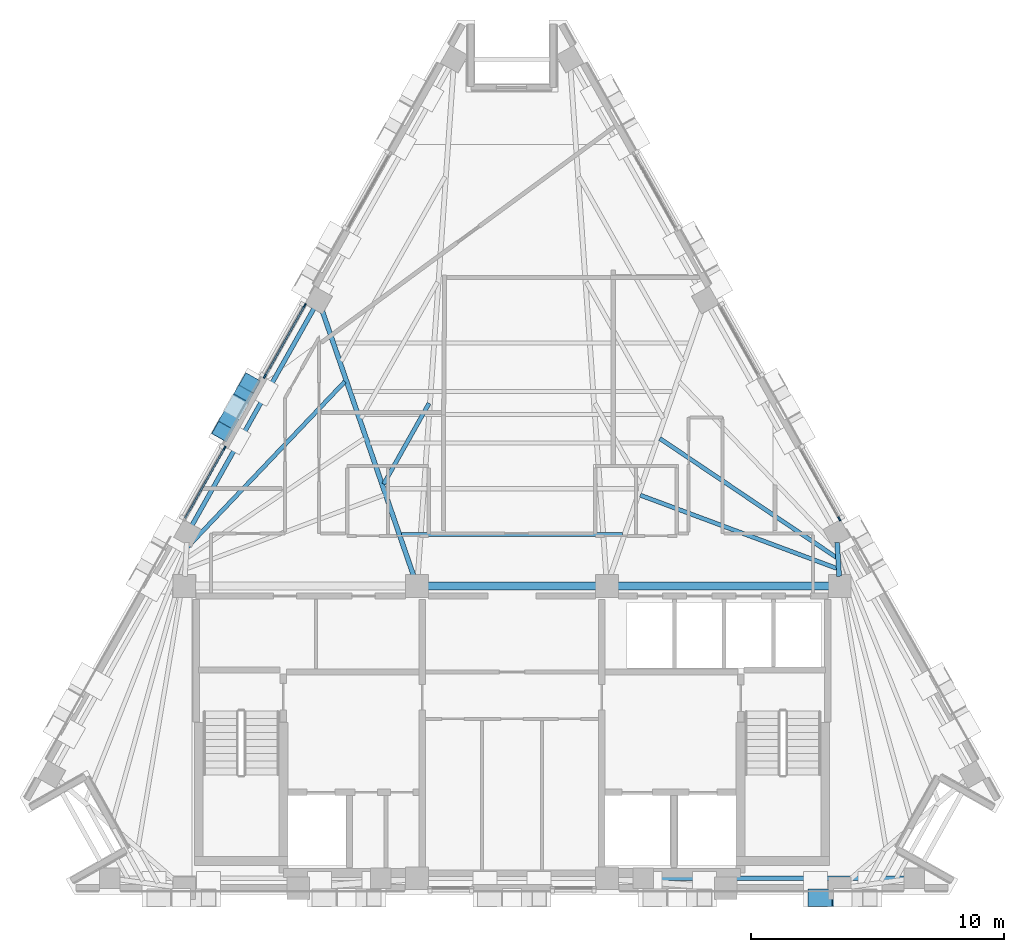
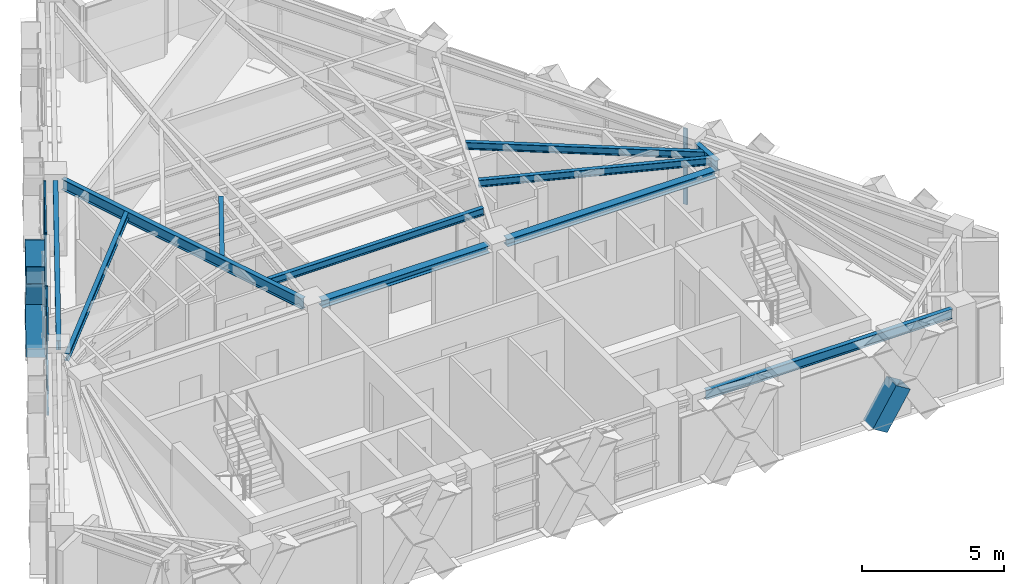
# One storey, part 3 of 11: 14 members, 11 beams, 3 elements without a shape of their own.
"""IFC4 building model written with IfcOpenShell, lengths in metres."""

from ifc_helpers import new_model, si_unit, direction, frame, origin, origin_2d, place, context, subcontext, project, spatial, rectangle, hollow_rectangle, i_section, extrude, material, material_profile, profile_set, type_object, element, aggregate, save


model = new_model("IFC4")

# Units and contexts
model_context = context("Model", 3, precision=1e-05, world=origin(), true_north=direction((0.0, 1.0)))
body_context = subcontext(model_context, "Body", "Model", "MODEL_VIEW")
ifc_project = project(units=[si_unit("LENGTHUNIT", "METRE"), si_unit("AREAUNIT", "SQUARE_METRE"), si_unit("VOLUMEUNIT", "CUBIC_METRE"), si_unit("PLANEANGLEUNIT", "RADIAN"), si_unit("MASSUNIT", "GRAM", prefix="KILO")], contexts=[model_context])

# Site, building, storey
site_placement = place(None, origin())
site = spatial("IfcSite", under=ifc_project, at=site_placement, CompositionType="ELEMENT")
building_placement = place(site_placement, origin())
building = spatial("IfcBuilding", under=site, at=building_placement, Name="Quenlor Broadcast Tower", CompositionType="ELEMENT")
storey_placement = place(building_placement, frame((0.0, 0.0, 242.89990234375)))
storey = spatial("IfcBuildingStorey", under=building, at=storey_placement, Name="L67", CompositionType="ELEMENT", Elevation=242.89990234375)

# Curtain wall, member
ifc_material_1 = material(Name="Architectural Terracotta and Low-E Glazing", Category="masonry")
curtain_wall_type = type_object("IfcCurtainWallType", Name="Unitised Terracotta Curtain Wall System Z5", PredefinedType="NOTDEFINED", material=ifc_material_1)
curtain_wall_1_placement = place(storey_placement, origin())
curtain_wall_1 = element("IfcCurtainWall", 1, at=curtain_wall_1_placement, inside=storey, type_object=curtain_wall_type, Name="L67 Curtain Wall CW5 (L67-NE-G2)", PredefinedType="NOTDEFINED")
ifc_material_2 = material(Name="Aluminium 6063-T6", Category="aluminium")
ifc_material_profile_1 = material_profile(ifc_material_2, rectangle(XDim=0.06494140625, YDim=0.169921875, at=origin_2d()))
ifc_profile_set_1 = profile_set([ifc_material_profile_1], Name="Aluminium 6063-T6 MULL65x170")
member_type_1 = type_object("IfcMemberType", Name="CW5 Aluminium Mullion MULL_CW5", PredefinedType="MULLION", material=ifc_profile_set_1)
member_1_placement = place(storey_placement, frame((12.930419921875, -2.1484375, 0.0), z_axis=(0.0, 0.0, 1.0), x_axis=(0.871574721405, 0.490262689797, 0.0)))
member_1 = element("IfcMember", 2, at=member_1_placement, type_object=member_type_1, Name="CW5 mullion 2", PredefinedType="MULLION", context=body_context, shape_type="SweptSolid", body=[
    extrude(rectangle(XDim=0.06494140625, YDim=0.169921875, at=origin_2d()), origin(), (0.0, 0.0, 1.0), 3.25),
])
aggregate(curtain_wall_1, [member_1])

curtain_wall_2_placement = place(storey_placement, origin())
curtain_wall_2 = element("IfcCurtainWall", 3, at=curtain_wall_2_placement, inside=storey, type_object=curtain_wall_type, Name="L67 Curtain Wall CW5 (L67-NW-G1)", PredefinedType="NOTDEFINED")
member_2_placement = place(storey_placement, frame((-11.357177734375, 0.6484375, 0.0), z_axis=(0.0, 0.0, 1.0), x_axis=(-0.871574721405, 0.490262689797, 0.0)))
member_2 = element("IfcMember", 4, at=member_2_placement, type_object=member_type_1, Name="CW5 mullion 2", PredefinedType="MULLION", context=body_context, shape_type="SweptSolid", body=[
    extrude(rectangle(XDim=0.06494140625, YDim=0.169921875, at=origin_2d()), origin(), (0.0, 0.0, 1.0), 3.25),
])

# Curtain wall, members
curtain_wall_3_placement = place(storey_placement, origin())
curtain_wall_3 = element("IfcCurtainWall", 5, at=curtain_wall_3_placement, inside=storey, type_object=curtain_wall_type, Name="L67 Curtain Wall CW5 (L67-NW-G2)", PredefinedType="NOTDEFINED")
member_3_placement = place(storey_placement, frame((-9.763427734375, 3.48193359375, 0.0), z_axis=(0.0, 0.0, 1.0), x_axis=(-0.871574721405, 0.490262689797, 0.0)))
member_3 = element("IfcMember", 6, at=member_3_placement, type_object=member_type_1, Name="CW5 mullion 1", PredefinedType="MULLION", context=body_context, shape_type="SweptSolid", body=[
    extrude(rectangle(XDim=0.06494140625, YDim=0.169921875, at=origin_2d()), origin(), (0.0, 0.0, 1.0), 3.25),
])
member_4_placement = place(storey_placement, frame((-8.190185546875, 6.27880859375, 0.0), z_axis=(0.0, 0.0, 1.0), x_axis=(-0.871574721405, 0.490262689797, 0.0)))
member_4 = element("IfcMember", 7, at=member_4_placement, type_object=member_type_1, Name="CW5 mullion 2", PredefinedType="MULLION", context=body_context, shape_type="SweptSolid", body=[
    extrude(rectangle(XDim=0.06494140625, YDim=0.169921875, at=origin_2d()), origin(), (0.0, 0.0, 1.0), 3.25),
])

# Member
ifc_material_3 = material(Name="Aluminium 6063-T6", Category="aluminium")
ifc_material_profile_2 = material_profile(ifc_material_3, rectangle(XDim=0.06494140625, YDim=0.139892578125, at=origin_2d()))
ifc_profile_set_2 = profile_set([ifc_material_profile_2], Name="Aluminium 6063-T6 TRAN65x140")
member_type_2 = type_object("IfcMemberType", Name="CW5 Aluminium Transom TRAN_CW5", PredefinedType="USERDEFINED", material=ifc_profile_set_2)
member_5_placement = place(storey_placement, frame((-12.91455078125, -2.1201171875, 0.03271484375), z_axis=(0.490290733046, 0.871558946422, 0.0), x_axis=(-0.871558946422, 0.490290733046, 0.0)))
member_5 = element("IfcMember", 8, at=member_5_placement, type_object=member_type_2, Name="CW5 transom 1.1", ObjectType="TRANSOM", PredefinedType="USERDEFINED", context=body_context, shape_type="SweptSolid", body=[
    extrude(rectangle(XDim=0.06494140625, YDim=0.139892578125, at=origin_2d()), origin(), (0.0, 0.0, 1.0), 3.14404296875),
])

member_6_placement = place(storey_placement, frame((-12.91455078125, -2.1201171875, 0.9501953125), z_axis=(0.490290733046, 0.871558946422, 0.0), x_axis=(-0.871558946422, 0.490290733046, 0.0)))
member_6 = element("IfcMember", 9, at=member_6_placement, type_object=member_type_2, Name="CW5 transom 1.2", ObjectType="TRANSOM", PredefinedType="USERDEFINED", context=body_context, shape_type="SweptSolid", body=[
    extrude(rectangle(XDim=0.06494140625, YDim=0.139892578125, at=origin_2d()), origin(), (0.0, 0.0, 1.0), 3.14404296875),
])

member_7_placement = place(storey_placement, frame((-12.91455078125, -2.1201171875, 3.217529296875), z_axis=(0.490290733046, 0.871558946422, 0.0), x_axis=(-0.871558946422, 0.490290733046, 0.0)))
member_7 = element("IfcMember", 10, at=member_7_placement, type_object=member_type_2, Name="CW5 transom 1.3", ObjectType="TRANSOM", PredefinedType="USERDEFINED", context=body_context, shape_type="SweptSolid", body=[
    extrude(rectangle(XDim=0.06494140625, YDim=0.139892578125, at=origin_2d()), origin(), (0.0, 0.0, 1.0), 3.14404296875),
])

aggregate(curtain_wall_2, [member_2, member_5, member_6, member_7])

member_8_placement = place(storey_placement, frame((-9.747314453125, 3.51025390625, 0.03271484375), z_axis=(0.490231744535, 0.87159212746, 0.0), x_axis=(-0.87159212746, 0.490231744535, 0.0)))
member_8 = element("IfcMember", 11, at=member_8_placement, type_object=member_type_2, Name="CW5 transom 1.1", ObjectType="TRANSOM", PredefinedType="USERDEFINED", context=body_context, shape_type="SweptSolid", body=[
    extrude(rectangle(XDim=0.06494140625, YDim=0.139892578125, at=origin_2d()), origin(), (0.0, 0.0, 1.0), 3.14404296875),
])

member_9_placement = place(storey_placement, frame((-9.747314453125, 3.51025390625, 0.9501953125), z_axis=(0.490231744535, 0.87159212746, 0.0), x_axis=(-0.87159212746, 0.490231744535, 0.0)))
member_9 = element("IfcMember", 12, at=member_9_placement, type_object=member_type_2, Name="CW5 transom 1.2", ObjectType="TRANSOM", PredefinedType="USERDEFINED", context=body_context, shape_type="SweptSolid", body=[
    extrude(rectangle(XDim=0.06494140625, YDim=0.139892578125, at=origin_2d()), origin(), (0.0, 0.0, 1.0), 3.14404296875),
])

member_10_placement = place(storey_placement, frame((-9.747314453125, 3.51025390625, 3.217529296875), z_axis=(0.490231744535, 0.87159212746, 0.0), x_axis=(-0.87159212746, 0.490231744535, 0.0)))
member_10 = element("IfcMember", 13, at=member_10_placement, type_object=member_type_2, Name="CW5 transom 1.3", ObjectType="TRANSOM", PredefinedType="USERDEFINED", context=body_context, shape_type="SweptSolid", body=[
    extrude(rectangle(XDim=0.06494140625, YDim=0.139892578125, at=origin_2d()), origin(), (0.0, 0.0, 1.0), 3.14404296875),
])

aggregate(curtain_wall_3, [member_3, member_4, member_8, member_9, member_10])

# Beams
ifc_material_4 = material(Name="Steel S355", Category="steel")
ifc_material_profile_3 = material_profile(ifc_material_4, i_section(OverallWidth=0.304931640625, OverallDepth=0.30810546875, WebThickness=0.010009765625, FlangeThickness=0.015380859375, FilletRadius=0.0166015625, at=origin_2d()))
ifc_profile_set_3 = profile_set([ifc_material_profile_3], Name="Steel S355 310UC96.8")
beam_type_1 = type_object("IfcBeamType", Name="Core Header Beam Steel S355 310UC96.8", PredefinedType="BEAM", material=ifc_profile_set_3)
beam_1_placement = place(storey_placement, frame((-3.389892578125, -4.800048828125, 3.09619140625), z_axis=(1.0, 0.0, 0.0), x_axis=(0.0, 1.0, 0.0)))
element("IfcBeam", 14, at=beam_1_placement, inside=storey, type_object=beam_type_1, Name="L67 Core Header Beam 2", PredefinedType="BEAM", context=body_context, shape_type="SweptSolid", body=[
    extrude(i_section(OverallWidth=0.304931640625, OverallDepth=0.30810546875, WebThickness=0.010009765625, FlangeThickness=0.015380859375, FilletRadius=0.0166015625, at=origin_2d()), origin(), (0.0, 0.0, 1.0), 6.77978515625),
])
ifc_material_5 = material(Name="Steel S355", Category="steel")
ifc_material_profile_4 = material_profile(ifc_material_5, i_section(OverallWidth=0.306884765625, OverallDepth=0.314697265625, WebThickness=0.011962890625, FlangeThickness=0.018798828125, FilletRadius=0.0166015625, at=origin_2d()))
ifc_profile_set_4 = profile_set([ifc_material_profile_4], Name="Steel S355 310UC118")
beam_type_2 = type_object("IfcBeamType", Name="Core Tie Beam Steel S355 310UC118", PredefinedType="BEAM", material=ifc_profile_set_4)
beam_2_placement = place(storey_placement, frame((4.110107421875, -4.800048828125, 3.0927734375), z_axis=(1.0, 0.0, 0.0), x_axis=(0.0, 1.0, 0.0)))
element("IfcBeam", 15, at=beam_2_placement, inside=storey, type_object=beam_type_2, Name="L67 Core Tie Beam 3", PredefinedType="BEAM", context=body_context, shape_type="SweptSolid", body=[
    extrude(i_section(OverallWidth=0.306884765625, OverallDepth=0.314697265625, WebThickness=0.011962890625, FlangeThickness=0.018798828125, FilletRadius=0.0166015625, at=origin_2d()), origin(), (0.0, 0.0, 1.0), 8.47998046875),
])

# Members
ifc_material_6 = material(Name="Steel S355", Category="steel")
ifc_material_profile_5 = material_profile(ifc_material_6, hollow_rectangle(XDim=0.679931640625, YDim=0.679931640625, WallThickness=0.02001953125, at=origin_2d()))
ifc_profile_set_5 = profile_set([ifc_material_profile_5], Name="Steel S355 RHS680x680x20")
member_type_3 = type_object("IfcMemberType", Name="Perimeter Diagonal Lattice Brace Z5-Crown Steel S355 RHS680x20", PredefinedType="BRACE", material=ifc_profile_set_5)
member_11_placement = place(storey_placement, frame((11.98828125, -17.1201171875, -0.119873046875), z_axis=(0.523719849356, 0.0, 0.851890555993), x_axis=(0.0, 1.0, 0.0)))
element("IfcMember", 16, at=member_11_placement, inside=storey, type_object=member_type_3, Name="L67 Perimeter Diamond Lattice S-C1XB1", PredefinedType="BRACE", context=body_context, shape_type="SweptSolid", body=[
    extrude(hollow_rectangle(XDim=0.679931640625, YDim=0.679931640625, WallThickness=0.02001953125, at=origin_2d()), origin(), (0.0, 0.0, 1.0), 1.803955078125),
])
member_12_placement = place(storey_placement, frame((-11.443115234375, 1.3017578125, -0.119873046875), z_axis=(0.260618804175, 0.463276364439, 0.847025884529), x_axis=(-0.8715547569, 0.490298180422, 0.0)))
element("IfcMember", 17, at=member_12_placement, inside=storey, type_object=member_type_3, Name="L67 Perimeter Diamond Lattice NW-C3XA", PredefinedType="BRACE", context=body_context, shape_type="SweptSolid", body=[
    extrude(hollow_rectangle(XDim=0.679931640625, YDim=0.679931640625, WallThickness=0.02001953125, at=origin_2d()), origin(), (0.0, 0.0, 1.0), 4.132080078125),
])
member_13_placement = place(storey_placement, frame((-10.3662109375, 3.216064453125, -0.119873046875), z_axis=(-0.26068648878, -0.463293264743, 0.846995811921), x_axis=(0.871507987664, -0.490381308207, 0.0)))
element("IfcMember", 18, at=member_13_placement, inside=storey, type_object=member_type_3, Name="L67 Perimeter Diamond Lattice NW-C3XB1", PredefinedType="BRACE", context=body_context, shape_type="SweptSolid", body=[
    extrude(hollow_rectangle(XDim=0.679931640625, YDim=0.679931640625, WallThickness=0.02001953125, at=origin_2d()), origin(), (0.0, 0.0, 1.0), 1.81591796875),
])
member_14_placement = place(storey_placement, frame((-10.9697265625, 2.14306640625, 1.841796875), z_axis=(-0.260656806259, -0.463240512825, 0.847033798988), x_axis=(0.871507987664, -0.490381308207, 0.0)))
element("IfcMember", 19, at=member_14_placement, inside=storey, type_object=member_type_3, Name="L67 Perimeter Diamond Lattice NW-C3XB2", PredefinedType="BRACE", context=body_context, shape_type="SweptSolid", body=[
    extrude(hollow_rectangle(XDim=0.679931640625, YDim=0.679931640625, WallThickness=0.02001953125, at=origin_2d()), origin(), (0.0, 0.0, 1.0), 1.816162109375),
])

# Beams
ifc_material_7 = material(Name="Steel S355", Category="steel")
ifc_material_profile_6 = material_profile(ifc_material_7, i_section(OverallWidth=0.177978515625, OverallDepth=0.406494140625, WebThickness=0.0078125, FlangeThickness=0.0126953125, FilletRadius=0.011474609375, at=origin_2d()))
ifc_profile_set_6 = profile_set([ifc_material_profile_6], Name="Steel S355 410UB59.7")
beam_type_3 = type_object("IfcBeamType", Name="Perimeter Spandrel Beam Z5 Steel S355 410UB59.7", PredefinedType="SPANDREL", material=ifc_profile_set_6)
beam_3_placement = place(storey_placement, frame((5.5439453125, -16.35009765625, 3.046875), z_axis=(1.0, 0.0, 0.0), x_axis=(0.0, 1.0, 0.0)))
element("IfcBeam", 20, at=beam_3_placement, inside=storey, type_object=beam_type_3, Name="L67 Spandrel Beam S3-S4", PredefinedType="SPANDREL", context=body_context, shape_type="SweptSolid", body=[
    extrude(i_section(OverallWidth=0.177978515625, OverallDepth=0.406494140625, WebThickness=0.0078125, FlangeThickness=0.0126953125, FilletRadius=0.011474609375, at=origin_2d()), origin(), (0.0, 0.0, 1.0), 9.99365234375),
])
beam_4_placement = place(storey_placement, frame((-7.818115234375, 6.175537109375, 3.046875), z_axis=(-0.49024947634, -0.871582153872, 0.0), x_axis=(0.871582153872, -0.49024947634, 0.0)))
element("IfcBeam", 21, at=beam_4_placement, inside=storey, type_object=beam_type_3, Name="L67 Spandrel Beam NW2-NW3", PredefinedType="SPANDREL", context=body_context, shape_type="SweptSolid", body=[
    extrude(i_section(OverallWidth=0.177978515625, OverallDepth=0.406494140625, WebThickness=0.0078125, FlangeThickness=0.0126953125, FilletRadius=0.011474609375, at=origin_2d()), origin(), (0.0, 0.0, 1.0), 9.853759765625),
])
ifc_material_8 = material(Name="Steel S355", Category="steel")
ifc_material_profile_7 = material_profile(ifc_material_8, i_section(OverallWidth=0.166015625, OverallDepth=0.30712890625, WebThickness=0.006591796875, FlangeThickness=0.01171875, FilletRadius=0.011474609375, at=origin_2d()))
ifc_profile_set_7 = profile_set([ifc_material_profile_7], Name="Steel S355 310UB46.2")
beam_type_4 = type_object("IfcBeamType", Name="Tower Composite Joist Z4-Z5 Steel S355 310UB46.2", PredefinedType="JOIST", material=ifc_profile_set_7)
beam_5_placement = place(storey_placement, frame((-4.37060546875, -2.767822265625, 3.096435546875), z_axis=(1.0, 0.0, 0.0), x_axis=(0.0, 1.0, 0.0)))
element("IfcBeam", 22, at=beam_5_placement, inside=storey, type_object=beam_type_4, Name="L67 Secondary Composite Joist 1", PredefinedType="JOIST", context=body_context, shape_type="SweptSolid", body=[
    extrude(i_section(OverallWidth=0.166015625, OverallDepth=0.30712890625, WebThickness=0.006591796875, FlangeThickness=0.01171875, FilletRadius=0.011474609375, at=origin_2d()), origin(), (0.0, 0.0, 1.0), 8.7412109375),
])
beam_6_placement = place(storey_placement, frame((-12.80517578125, -3.249267578125, 3.096435546875), z_axis=(0.689023306429, 0.724739182877, 0.0), x_axis=(-0.724739182877, 0.689023306429, 0.0)))
element("IfcBeam", 23, at=beam_6_placement, inside=storey, type_object=beam_type_4, Name="L67 Secondary Composite Joist 9", PredefinedType="JOIST", context=body_context, shape_type="SweptSolid", body=[
    extrude(i_section(OverallWidth=0.166015625, OverallDepth=0.30712890625, WebThickness=0.006591796875, FlangeThickness=0.01171875, FilletRadius=0.011474609375, at=origin_2d()), origin(), (0.0, 0.0, 1.0), 8.99560546875),
])
beam_7_placement = place(storey_placement, frame((12.835205078125, -4.108642578125, 3.096435546875), z_axis=(-0.937062080226, 0.349162795559, 0.0), x_axis=(-0.349162795559, -0.937062080226, 0.0)))
element("IfcBeam", 24, at=beam_7_placement, inside=storey, type_object=beam_type_4, Name="L67 Secondary Composite Joist 10", PredefinedType="JOIST", context=body_context, shape_type="SweptSolid", body=[
    extrude(i_section(OverallWidth=0.166015625, OverallDepth=0.30712890625, WebThickness=0.006591796875, FlangeThickness=0.01171875, FilletRadius=0.011474609375, at=origin_2d()), origin(), (0.0, 0.0, 1.0), 8.286376953125),
])
beam_8_placement = place(storey_placement, frame((12.81884765625, -3.67724609375, 3.096435546875), z_axis=(-0.829286301475, 0.558823970661, 0.0), x_axis=(-0.558823970661, -0.829286301475, 0.0)))
element("IfcBeam", 25, at=beam_8_placement, inside=storey, type_object=beam_type_4, Name="L67 Secondary Composite Joist 11", PredefinedType="JOIST", context=body_context, shape_type="SweptSolid", body=[
    extrude(i_section(OverallWidth=0.166015625, OverallDepth=0.30712890625, WebThickness=0.006591796875, FlangeThickness=0.01171875, FilletRadius=0.011474609375, at=origin_2d()), origin(), (0.0, 0.0, 1.0), 8.415771484375),
])
beam_9_placement = place(storey_placement, frame((-3.2763671875, 2.41455078125, 3.096435546875), z_axis=(-0.490258076222, -0.871577316535, 0.0), x_axis=(0.871577316535, -0.490258076222, 0.0)))
element("IfcBeam", 26, at=beam_9_placement, inside=storey, type_object=beam_type_4, Name="L67 Secondary Composite Joist 25", PredefinedType="JOIST", context=body_context, shape_type="SweptSolid", body=[
    extrude(i_section(OverallWidth=0.166015625, OverallDepth=0.30712890625, WebThickness=0.006591796875, FlangeThickness=0.01171875, FilletRadius=0.011474609375, at=origin_2d()), origin(), (0.0, 0.0, 1.0), 3.6640625),
])
ifc_material_9 = material(Name="Steel S355", Category="steel")
ifc_material_profile_8 = material_profile(ifc_material_9, i_section(OverallWidth=0.19091796875, OverallDepth=0.46044921875, WebThickness=0.010009765625, FlangeThickness=0.01611328125, FilletRadius=0.011474609375, at=origin_2d()))
ifc_profile_set_8 = profile_set([ifc_material_profile_8], Name="Steel S355 460UB82.1")
beam_type_5 = type_object("IfcBeamType", Name="Tower Primary Floor Beam Z5 Steel S355 460UB82.1", PredefinedType="BEAM", material=ifc_profile_set_8)
beam_10_placement = place(storey_placement, frame((12.84716796875, -3.086181640625, 3.02001953125), z_axis=(0.059899569349, -0.998204408722, 0.0), x_axis=(0.998204408722, 0.059899569349, 0.0)))
element("IfcBeam", 27, at=beam_10_placement, inside=storey, type_object=beam_type_5, Name="L67 Primary Radial Beam NE2", PredefinedType="BEAM", context=body_context, shape_type="SweptSolid", body=[
    extrude(i_section(OverallWidth=0.19091796875, OverallDepth=0.46044921875, WebThickness=0.010009765625, FlangeThickness=0.01611328125, FilletRadius=0.011474609375, at=origin_2d()), origin(), (0.0, 0.0, 1.0), 1.3369140625),
])
beam_11_placement = place(storey_placement, frame((-7.524169921875, 6.14892578125, 3.02001953125), z_axis=(0.325895297662, -0.945405867848, 0.0), x_axis=(0.945405867848, 0.325895297662, 0.0)))
element("IfcBeam", 28, at=beam_11_placement, inside=storey, type_object=beam_type_5, Name="L67 Primary Radial Beam NW2", PredefinedType="BEAM", context=body_context, shape_type="SweptSolid", body=[
    extrude(i_section(OverallWidth=0.19091796875, OverallDepth=0.46044921875, WebThickness=0.010009765625, FlangeThickness=0.01611328125, FilletRadius=0.011474609375, at=origin_2d()), origin(), (0.0, 0.0, 1.0), 11.201171875),
])

save(model, "model.ifc")
